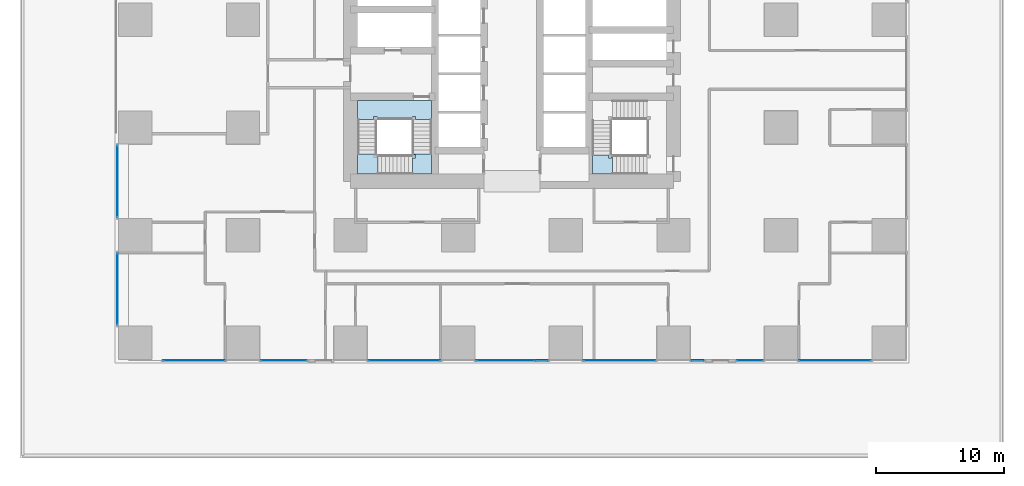
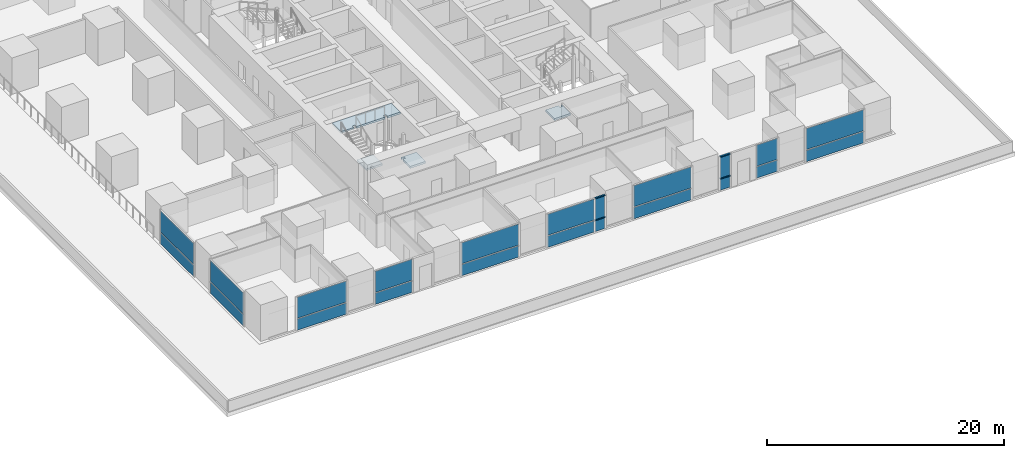
# One storey, part 18 of 35: 22 plates, 4 members, 4 slabs, 13 elements without a shape of their own.
"""IFC4 building model written with IfcOpenShell, lengths in metres."""

import ifcopenshell
import ifcopenshell.guid

model = None  # the IFC model being written
_history = None  # IfcOwnerHistory: only IFC2X3 demands one
_inside = {}  # id of a spatial element -> (the spatial element, [elements in it])
_under = {}  # id of a project, library or spatial element -> (it, [spatial elements below it])
_declared = {}  # id of a project -> (the project, [libraries it declares])
_typed = {}  # id of a type object -> (the type object, [elements of that type])
_made_of = {}  # id of a material, layer set ... -> (it, [elements and type objects made of it])


def new_model(schema):
    """Start an empty IFC model of exactly this schema.

    Asked for "IFC4X3", IfcOpenShell would pick the latest addendum, in which some entities
    have other attributes; the version numbers below select the first issue.
    IFC2X3 requires an IfcOwnerHistory on every rooted entity: one is made here for all.
    """
    global model, _history
    if schema == "IFC4X3":
        model = ifcopenshell.file(schema_version=(4, 3, 0, 0))
    else:
        model = ifcopenshell.file(schema=schema)
    _inside.clear()
    _under.clear()
    _declared.clear()
    _typed.clear()
    _made_of.clear()
    _history = None
    if model.schema == "IFC2X3":
        org = make("IfcOrganization", Name="unknown")
        user = make(
            "IfcPersonAndOrganization",
            ThePerson=make("IfcPerson", FamilyName="unknown"),
            TheOrganization=org,
        )
        app = make(
            "IfcApplication",
            ApplicationDeveloper=org,
            Version="unknown",
            ApplicationFullName="unknown",
            ApplicationIdentifier="unknown",
        )
        _history = make(
            "IfcOwnerHistory",
            OwningUser=user,
            OwningApplication=app,
            ChangeAction="ADDED",
            CreationDate=0,
        )
    return model


def make(cls, **values):
    """One entity of the class cls with the attributes given. An attribute that is None is left unset."""
    return model.create_entity(
        cls, **{name: value for name, value in values.items() if value is not None}
    )


def rooted(cls, **values):
    """An entity with a GlobalId (a new one), such as an element, a storey or a relation."""
    return make(cls, GlobalId=ifcopenshell.guid.new(), OwnerHistory=_history, **values)


def si_unit(unit_type, name, prefix=None):
    """IfcSIUnit, for example si_unit("LENGTHUNIT", "METRE", prefix="MILLI")."""
    return make("IfcSIUnit", UnitType=unit_type, Prefix=prefix, Name=name)


def assignment(units):
    """IfcUnitAssignment: the units of a project."""
    return None if units is None else make("IfcUnitAssignment", Units=units)


def point(xyz):
    """IfcCartesianPoint."""
    return None if xyz is None else make("IfcCartesianPoint", Coordinates=xyz)


def direction(xyz):
    """IfcDirection."""
    return None if xyz is None else make("IfcDirection", DirectionRatios=xyz)


def frame(location, z_axis=None, x_axis=None):
    """IfcAxis2Placement3D, a coordinate frame: its origin and axes. An axis left out is left unset."""
    return make(
        "IfcAxis2Placement3D",
        Location=point(location),
        Axis=direction(z_axis),
        RefDirection=direction(x_axis),
    )


def frame_2d(location, x_axis=None):
    """IfcAxis2Placement2D, a coordinate frame in the plane: its origin and x axis."""
    return make(
        "IfcAxis2Placement2D", Location=point(location), RefDirection=direction(x_axis)
    )


def origin():
    """The frame at (0, 0, 0) with its axes left unset."""
    return frame((0.0, 0.0, 0.0))


def origin_2d():
    """The frame at (0, 0) in the plane with its x axis left unset."""
    return frame_2d((0.0, 0.0))


def place(relative_to, where):
    """IfcLocalPlacement: puts the frame where relative to a parent placement (None: the world)."""
    return make(
        "IfcLocalPlacement", PlacementRelTo=relative_to, RelativePlacement=where
    )


def context(
    kind, dimensions, precision=None, world=None, true_north=None, identifier=None
):
    """IfcGeometricRepresentationContext, for example the 3D "Model" context."""
    return make(
        "IfcGeometricRepresentationContext",
        ContextIdentifier=identifier,
        ContextType=kind,
        CoordinateSpaceDimension=dimensions,
        Precision=precision,
        WorldCoordinateSystem=world,
        TrueNorth=true_north,
    )


def subcontext(parent, identifier, kind, view, scale=None):
    """IfcGeometricRepresentationSubContext, for example "Body" below "Model"."""
    return make(
        "IfcGeometricRepresentationSubContext",
        ContextIdentifier=identifier,
        ContextType=kind,
        ParentContext=parent,
        TargetScale=scale,
        TargetView=view,
    )


def project(units=None, contexts=None):
    """IfcProject with its units and contexts."""
    return rooted(
        "IfcProject",
        Name="project",
        RepresentationContexts=contexts,
        UnitsInContext=assignment(units),
    )


def spatial(cls, under=None, at=None, **own):
    """A site, building, storey or space (cls), placed at a placement, below another one or the project."""
    s = rooted(cls, ObjectPlacement=at, **own)
    if under is not None:
        _under.setdefault(under.id(), (under, []))[1].append(s)
    return s


def polyline(points):
    """IfcPolyline through the points."""
    return make("IfcPolyline", Points=[point(p) for p in points])


def profile(cls, at=None, kind="AREA", **sizes):
    """A parametric profile (cls). Its sizes go by their IFC names, for example OverallWidth=200.0."""
    return make(cls, ProfileType=kind, Position=at, **sizes)


def rectangle(**sizes):
    """IfcRectangleProfileDef."""
    return profile("IfcRectangleProfileDef", **sizes)


def hollow_rectangle(**sizes):
    """IfcRectangleHollowProfileDef."""
    return profile("IfcRectangleHollowProfileDef", **sizes)


def outline(outer, holes=None, kind="AREA"):
    """IfcArbitraryClosedProfileDef: a profile drawn as a closed curve; with holes, ...WithVoids."""
    if holes is None:
        return make("IfcArbitraryClosedProfileDef", ProfileType=kind, OuterCurve=outer)
    return make(
        "IfcArbitraryProfileDefWithVoids",
        ProfileType=kind,
        OuterCurve=outer,
        InnerCurves=holes,
    )


def extrude(swept, where, along, depth):
    """IfcExtrudedAreaSolid: the profile swept, set in the frame where, extruded along a direction by depth."""
    return make(
        "IfcExtrudedAreaSolid",
        SweptArea=swept,
        Position=where,
        ExtrudedDirection=direction(along),
        Depth=depth,
    )


def shape(context_of_items, identifier, shape_type, items):
    """IfcShapeRepresentation: the items that make up one representation, for example the "Body"."""
    return make(
        "IfcShapeRepresentation",
        ContextOfItems=context_of_items,
        RepresentationIdentifier=identifier,
        RepresentationType=shape_type,
        Items=items,
    )


def material(Name=None, Category=None):
    """IfcMaterial."""
    return make("IfcMaterial", Name=Name, Category=Category)


def layer(
    of_material, thickness, ventilated=None, Name=None, Category=None, Priority=None
):
    """IfcMaterialLayer: one layer of a wall or slab, of a material (None: an air gap)."""
    return make(
        "IfcMaterialLayer",
        Material=of_material,
        LayerThickness=thickness,
        IsVentilated=ventilated,
        Name=Name,
        Category=Category,
        Priority=Priority,
    )


def layer_set(layers, Name=None):
    """IfcMaterialLayerSet."""
    return make("IfcMaterialLayerSet", MaterialLayers=layers, LayerSetName=Name)


def material_profile(
    of_material, cross_section, Name=None, Category=None, Priority=None
):
    """IfcMaterialProfile: a cross section and its material."""
    return make(
        "IfcMaterialProfile",
        Name=Name,
        Material=of_material,
        Profile=cross_section,
        Priority=Priority,
        Category=Category,
    )


def profile_set(profiles, Name=None, composite=None):
    """IfcMaterialProfileSet."""
    return make(
        "IfcMaterialProfileSet",
        Name=Name,
        MaterialProfiles=profiles,
        CompositeProfile=composite,
    )


def made_of(thing, what):
    """Note that an element or type object is made of a material, layer set ...; save() writes the relation."""
    if what is not None:
        _made_of.setdefault(what.id(), (what, []))[1].append(thing)
    return thing


def type_object(cls, material=None, **own):
    """A type object (cls), such as IfcWallType, which elements share."""
    return made_of(rooted(cls, **own), material)


def element(
    cls,
    number,
    at=None,
    inside=None,
    cuts=None,
    type_object=None,
    material=None,
    context=None,
    identifier="Body",
    shape_type=None,
    held_by="IfcProductDefinitionShape",
    body=None,
    shapes=None,
    **own,
):
    """One element of the class cls, such as IfcWall. Its Tag is "e" and its number.

    at: its placement. inside: the storey or other place that contains it. cuts: it is an
    opening in that element (IfcRelVoidsElement). A single representation is given by context,
    identifier, shape_type and body (its items); several are given by shapes. held_by: the class
    of the entity that holds the representations. save() writes the other relations.
    """
    e = rooted(cls, Tag="e%d" % number, ObjectPlacement=at, **own)
    if body is not None:
        shapes = [shape(context, identifier, shape_type, body)]
    if shapes is not None:
        e.Representation = make(held_by, Representations=shapes)
    if inside is not None:
        _inside.setdefault(inside.id(), (inside, []))[1].append(e)
    if cuts is not None:
        rooted(
            "IfcRelVoidsElement", RelatingBuildingElement=cuts, RelatedOpeningElement=e
        )
    if type_object is not None:
        _typed.setdefault(type_object.id(), (type_object, []))[1].append(e)
    return made_of(e, material)


def aggregate(whole, parts):
    """IfcRelAggregates: a whole, such as a stair, and the parts it consists of."""
    return rooted("IfcRelAggregates", RelatingObject=whole, RelatedObjects=parts)


def save(model, path):
    """Write the relations noted so far, then the file.

    IfcRelAggregates (storeys below a building ...), IfcRelContainedInSpatialStructure (elements
    in a storey), IfcRelDefinesByType, IfcRelAssociatesMaterial and IfcRelDeclares: one each for
    every whole, place, type object, material and project.
    """
    for whole, parts in _under.values():
        aggregate(whole, parts)
    for where, things in _inside.values():
        rooted(
            "IfcRelContainedInSpatialStructure",
            RelatedElements=things,
            RelatingStructure=where,
        )
    for kind, things in _typed.values():
        rooted("IfcRelDefinesByType", RelatedObjects=things, RelatingType=kind)
    for what, things in _made_of.values():
        rooted("IfcRelAssociatesMaterial", RelatedObjects=things, RelatingMaterial=what)
    for by, libraries in _declared.values():
        rooted("IfcRelDeclares", RelatingContext=by, RelatedDefinitions=libraries)
    model.write(path)


model = new_model("IFC4")

# Units and contexts
model_context = context("Model", 3, precision=1e-05, world=origin(), true_north=direction((0.0, 1.0)))
body_context = subcontext(model_context, "Body", "Model", "MODEL_VIEW")
ifc_project = project(units=[si_unit("LENGTHUNIT", "METRE"), si_unit("AREAUNIT", "SQUARE_METRE"), si_unit("VOLUMEUNIT", "CUBIC_METRE"), si_unit("PLANEANGLEUNIT", "RADIAN"), si_unit("MASSUNIT", "GRAM", prefix="KILO")], contexts=[model_context])

# Site, building, storey
site_placement = place(None, origin())
site = spatial("IfcSite", under=ifc_project, at=site_placement, CompositionType="ELEMENT")
building_placement = place(site_placement, origin())
building = spatial("IfcBuilding", under=site, at=building_placement, Name="Rekha Terrace Tower", CompositionType="ELEMENT")
storey_placement = place(building_placement, frame((0.0, 0.0, 25.39990234375)))
storey = spatial("IfcBuildingStorey", under=building, at=storey_placement, Name="L05", CompositionType="ELEMENT", Elevation=25.39990234375)

# Curtain wall, members
ifc_material_1 = material(Name="Aluminium framing", Category="aluminium")
curtain_wall_type = type_object("IfcCurtainWallType", Name="CW5 sky garden glazing", PredefinedType="USERDEFINED", material=ifc_material_1)
curtain_wall_1_placement = place(storey_placement, origin())
curtain_wall_1 = element("IfcCurtainWall", 1, at=curtain_wall_1_placement, inside=storey, type_object=curtain_wall_type, Name="CW5 sky garden curtain wall", ObjectType="SKY GARDEN CURTAIN WALL", PredefinedType="USERDEFINED")
ifc_material_2 = material(Name="Aluminium transom section", Category="aluminium")
ifc_material_profile = material_profile(ifc_material_2, hollow_rectangle(XDim=0.159912109375, YDim=0.090087890625, WallThickness=0.0029296875, at=origin_2d()), Name="AL RHS 160x90")
ifc_profile_set = profile_set([ifc_material_profile], Name="Aluminium transom section")
member_type = type_object("IfcMemberType", Name="CW5 transom RHS 90 x 160", PredefinedType="USERDEFINED", material=ifc_profile_set)
member_1_placement = place(storey_placement, frame((39.639892578125, 7.0, 1.2001953125), z_axis=(1.0, 0.0, 0.0), x_axis=(0.0, 1.0, 0.0)))
member_1 = element("IfcMember", 2, at=member_1_placement, type_object=member_type, Name="CW5 transom 1.2", ObjectType="TRANSOM", PredefinedType="USERDEFINED", context=body_context, shape_type="SweptSolid", body=[
    extrude(hollow_rectangle(XDim=0.159912109375, YDim=0.090087890625, WallThickness=0.0029296875, at=origin_2d()), origin(), (0.0, 0.0, 1.0), 0.9501953125),
])
member_2_placement = place(storey_placement, frame((39.639892578125, 7.0, 3.455078125), z_axis=(1.0, 0.0, 0.0), x_axis=(0.0, 1.0, 0.0)))
member_2 = element("IfcMember", 3, at=member_2_placement, type_object=member_type, Name="CW5 transom 1.3", ObjectType="TRANSOM", PredefinedType="USERDEFINED", context=body_context, shape_type="SweptSolid", body=[
    extrude(hollow_rectangle(XDim=0.159912109375, YDim=0.090087890625, WallThickness=0.0029296875, at=origin_2d()), origin(), (0.0, 0.0, 1.0), 0.9501953125),
])

curtain_wall_2_placement = place(storey_placement, origin())
curtain_wall_2 = element("IfcCurtainWall", 4, at=curtain_wall_2_placement, inside=storey, type_object=curtain_wall_type, Name="CW5 sky garden curtain wall", ObjectType="SKY GARDEN CURTAIN WALL", PredefinedType="USERDEFINED")
member_3_placement = place(storey_placement, frame((51.81005859375, 7.0, 1.2001953125), z_axis=(1.0, 0.0, 0.0), x_axis=(0.0, 1.0, 0.0)))
member_3 = element("IfcMember", 5, at=member_3_placement, type_object=member_type, Name="CW5 transom 1.2", ObjectType="TRANSOM", PredefinedType="USERDEFINED", context=body_context, shape_type="SweptSolid", body=[
    extrude(hollow_rectangle(XDim=0.159912109375, YDim=0.090087890625, WallThickness=0.0029296875, at=origin_2d()), origin(), (0.0, 0.0, 1.0), 0.974853515625),
])
member_4_placement = place(storey_placement, frame((51.81005859375, 7.0, 3.455078125), z_axis=(1.0, 0.0, 0.0), x_axis=(0.0, 1.0, 0.0)))
member_4 = element("IfcMember", 6, at=member_4_placement, type_object=member_type, Name="CW5 transom 1.3", ObjectType="TRANSOM", PredefinedType="USERDEFINED", context=body_context, shape_type="SweptSolid", body=[
    extrude(hollow_rectangle(XDim=0.159912109375, YDim=0.090087890625, WallThickness=0.0029296875, at=origin_2d()), origin(), (0.0, 0.0, 1.0), 0.974853515625),
])

# Curtain wall, plates
curtain_wall_3_placement = place(storey_placement, origin())
curtain_wall_3 = element("IfcCurtainWall", 7, at=curtain_wall_3_placement, inside=storey, type_object=curtain_wall_type, Name="CW5 sky garden curtain wall", ObjectType="SKY GARDEN CURTAIN WALL", PredefinedType="USERDEFINED")
ifc_material_3 = material(Name="Laminated double-glazed unit 36", Category="glass")
ifc_layer_1 = layer(ifc_material_3, 0.035888671875)
ifc_layer_set_1 = layer_set([ifc_layer_1], Name="Laminated double-glazed unit 36")
plate_type = type_object("IfcPlateType", Name="CW5 jumbo vision panel, laminated double-glazed unit 36", PredefinedType="CURTAIN_PANEL", material=ifc_layer_set_1)
plate_1_placement = place(storey_placement, frame((12.989990234375, 7.0, 0.0), z_axis=(0.0, 0.0, 1.0), x_axis=(1.0, 0.0, 0.0)))
plate_1 = element("IfcPlate", 8, at=plate_1_placement, type_object=plate_type, Name="CW5 panel 1.1", PredefinedType="CURTAIN_PANEL", context=body_context, shape_type="SweptSolid", body=[
    extrude(rectangle(XDim=4.800048828125, YDim=0.035888671875, at=origin_2d()), origin(), (0.0, 0.0, 1.0), 1.155029296875),
])
plate_2_placement = place(storey_placement, frame((12.989990234375, 7.0, 1.2451171875), z_axis=(0.0, 0.0, 1.0), x_axis=(1.0, 0.0, 0.0)))
plate_2 = element("IfcPlate", 9, at=plate_2_placement, type_object=plate_type, Name="CW5 panel 1.2", PredefinedType="CURTAIN_PANEL", context=body_context, shape_type="SweptSolid", body=[
    extrude(rectangle(XDim=4.800048828125, YDim=0.035888671875, at=origin_2d()), origin(), (0.0, 0.0, 1.0), 2.1650390625),
])
aggregate(curtain_wall_3, [plate_1, plate_2])

curtain_wall_4_placement = place(storey_placement, origin())
curtain_wall_4 = element("IfcCurtainWall", 10, at=curtain_wall_4_placement, inside=storey, type_object=curtain_wall_type, Name="CW5 sky garden curtain wall", ObjectType="SKY GARDEN CURTAIN WALL", PredefinedType="USERDEFINED")
plate_3_placement = place(storey_placement, frame((19.99755859375, 7.0, 0.0), z_axis=(0.0, 0.0, 1.0), x_axis=(1.0, 0.0, 0.0)))
plate_3 = element("IfcPlate", 11, at=plate_3_placement, type_object=plate_type, Name="CW5 panel 1.1", PredefinedType="CURTAIN_PANEL", context=body_context, shape_type="SweptSolid", body=[
    extrude(rectangle(XDim=3.574951171875, YDim=0.035888671875, at=origin_2d()), origin(), (0.0, 0.0, 1.0), 1.155029296875),
])
plate_4_placement = place(storey_placement, frame((19.99755859375, 7.0, 1.2451171875), z_axis=(0.0, 0.0, 1.0), x_axis=(1.0, 0.0, 0.0)))
plate_4 = element("IfcPlate", 12, at=plate_4_placement, type_object=plate_type, Name="CW5 panel 1.2", PredefinedType="CURTAIN_PANEL", context=body_context, shape_type="SweptSolid", body=[
    extrude(rectangle(XDim=3.574951171875, YDim=0.035888671875, at=origin_2d()), origin(), (0.0, 0.0, 1.0), 2.1650390625),
])
aggregate(curtain_wall_4, [plate_3, plate_4])

curtain_wall_5_placement = place(storey_placement, origin())
curtain_wall_5 = element("IfcCurtainWall", 13, at=curtain_wall_5_placement, inside=storey, type_object=curtain_wall_type, Name="CW5 sky garden curtain wall", ObjectType="SKY GARDEN CURTAIN WALL", PredefinedType="USERDEFINED")
plate_5_placement = place(storey_placement, frame((29.39990234375, 7.0, 0.0), z_axis=(0.0, 0.0, 1.0), x_axis=(1.0, 0.0, 0.0)))
plate_5 = element("IfcPlate", 14, at=plate_5_placement, type_object=plate_type, Name="CW5 panel 1.1", PredefinedType="CURTAIN_PANEL", context=body_context, shape_type="SweptSolid", body=[
    extrude(rectangle(XDim=5.580078125, YDim=0.035888671875, at=origin_2d()), origin(), (0.0, 0.0, 1.0), 1.155029296875),
])
plate_6_placement = place(storey_placement, frame((29.39990234375, 7.0, 1.2451171875), z_axis=(0.0, 0.0, 1.0), x_axis=(1.0, 0.0, 0.0)))
plate_6 = element("IfcPlate", 15, at=plate_6_placement, type_object=plate_type, Name="CW5 panel 1.2", PredefinedType="CURTAIN_PANEL", context=body_context, shape_type="SweptSolid", body=[
    extrude(rectangle(XDim=5.580078125, YDim=0.035888671875, at=origin_2d()), origin(), (0.0, 0.0, 1.0), 2.1650390625),
])
aggregate(curtain_wall_5, [plate_5, plate_6])

curtain_wall_6_placement = place(storey_placement, origin())
curtain_wall_6 = element("IfcCurtainWall", 16, at=curtain_wall_6_placement, inside=storey, type_object=curtain_wall_type, Name="CW5 sky garden curtain wall", ObjectType="SKY GARDEN CURTAIN WALL", PredefinedType="USERDEFINED")
plate_7_placement = place(storey_placement, frame((37.280029296875, 7.0, 0.0), z_axis=(0.0, 0.0, 1.0), x_axis=(1.0, 0.0, 0.0)))
plate_7 = element("IfcPlate", 17, at=plate_7_placement, type_object=plate_type, Name="CW5 panel 1.1", PredefinedType="CURTAIN_PANEL", context=body_context, shape_type="SweptSolid", body=[
    extrude(rectangle(XDim=4.5400390625, YDim=0.035888671875, at=origin_2d()), origin(), (0.0, 0.0, 1.0), 1.155029296875),
])
plate_8_placement = place(storey_placement, frame((37.280029296875, 7.0, 1.2451171875), z_axis=(0.0, 0.0, 1.0), x_axis=(1.0, 0.0, 0.0)))
plate_8 = element("IfcPlate", 18, at=plate_8_placement, type_object=plate_type, Name="CW5 panel 1.2", PredefinedType="CURTAIN_PANEL", context=body_context, shape_type="SweptSolid", body=[
    extrude(rectangle(XDim=4.5400390625, YDim=0.035888671875, at=origin_2d()), origin(), (0.0, 0.0, 1.0), 2.1650390625),
])
aggregate(curtain_wall_6, [plate_7, plate_8])

# Plate
plate_9_placement = place(storey_placement, frame((40.114990234375, 7.0, 0.0), z_axis=(0.0, 0.0, 1.0), x_axis=(1.0, 0.0, 0.0)))
plate_9 = element("IfcPlate", 19, at=plate_9_placement, type_object=plate_type, Name="CW5 panel 1.1", PredefinedType="CURTAIN_PANEL", context=body_context, shape_type="SweptSolid", body=[
    extrude(rectangle(XDim=0.949951171875, YDim=0.035888671875, at=origin_2d()), origin(), (0.0, 0.0, 1.0), 1.155029296875),
])

plate_10_placement = place(storey_placement, frame((40.114990234375, 7.0, 1.2451171875), z_axis=(0.0, 0.0, 1.0), x_axis=(1.0, 0.0, 0.0)))
plate_10 = element("IfcPlate", 20, at=plate_10_placement, type_object=plate_type, Name="CW5 panel 1.2", PredefinedType="CURTAIN_PANEL", context=body_context, shape_type="SweptSolid", body=[
    extrude(rectangle(XDim=0.949951171875, YDim=0.035888671875, at=origin_2d()), origin(), (0.0, 0.0, 1.0), 2.1650390625),
])

aggregate(curtain_wall_1, [member_1, member_2, plate_9, plate_10])

# Curtain wall, plates
curtain_wall_7_placement = place(storey_placement, origin())
curtain_wall_7 = element("IfcCurtainWall", 21, at=curtain_wall_7_placement, inside=storey, type_object=curtain_wall_type, Name="CW5 sky garden curtain wall", ObjectType="SKY GARDEN CURTAIN WALL", PredefinedType="USERDEFINED")
plate_11_placement = place(storey_placement, frame((46.199951171875, 7.0, 0.0), z_axis=(0.0, 0.0, 1.0), x_axis=(1.0, 0.0, 0.0)))
plate_11 = element("IfcPlate", 22, at=plate_11_placement, type_object=plate_type, Name="CW5 panel 1.1", PredefinedType="CURTAIN_PANEL", context=body_context, shape_type="SweptSolid", body=[
    extrude(rectangle(XDim=5.580078125, YDim=0.035888671875, at=origin_2d()), origin(), (0.0, 0.0, 1.0), 1.155029296875),
])
plate_12_placement = place(storey_placement, frame((46.199951171875, 7.0, 1.2451171875), z_axis=(0.0, 0.0, 1.0), x_axis=(1.0, 0.0, 0.0)))
plate_12 = element("IfcPlate", 23, at=plate_12_placement, type_object=plate_type, Name="CW5 panel 1.2", PredefinedType="CURTAIN_PANEL", context=body_context, shape_type="SweptSolid", body=[
    extrude(rectangle(XDim=5.580078125, YDim=0.035888671875, at=origin_2d()), origin(), (0.0, 0.0, 1.0), 2.1650390625),
])
aggregate(curtain_wall_7, [plate_11, plate_12])

# Plate
plate_13_placement = place(storey_placement, frame((52.297607421875, 7.0, 0.0), z_axis=(0.0, 0.0, 1.0), x_axis=(1.0, 0.0, 0.0)))
plate_13 = element("IfcPlate", 24, at=plate_13_placement, type_object=plate_type, Name="CW5 panel 1.1", PredefinedType="CURTAIN_PANEL", context=body_context, shape_type="SweptSolid", body=[
    extrude(rectangle(XDim=0.97509765625, YDim=0.035888671875, at=origin_2d()), origin(), (0.0, 0.0, 1.0), 1.155029296875),
])

plate_14_placement = place(storey_placement, frame((52.297607421875, 7.0, 1.2451171875), z_axis=(0.0, 0.0, 1.0), x_axis=(1.0, 0.0, 0.0)))
plate_14 = element("IfcPlate", 25, at=plate_14_placement, type_object=plate_type, Name="CW5 panel 1.2", PredefinedType="CURTAIN_PANEL", context=body_context, shape_type="SweptSolid", body=[
    extrude(rectangle(XDim=0.97509765625, YDim=0.035888671875, at=origin_2d()), origin(), (0.0, 0.0, 1.0), 2.1650390625),
])

aggregate(curtain_wall_2, [member_3, member_4, plate_13, plate_14])

# Curtain wall, plates
curtain_wall_8_placement = place(storey_placement, origin())
curtain_wall_8 = element("IfcCurtainWall", 26, at=curtain_wall_8_placement, inside=storey, type_object=curtain_wall_type, Name="CW5 sky garden curtain wall", ObjectType="SKY GARDEN CURTAIN WALL", PredefinedType="USERDEFINED")
plate_15_placement = place(storey_placement, frame((56.37744140625, 7.0, 0.0), z_axis=(0.0, 0.0, 1.0), x_axis=(1.0, 0.0, 0.0)))
plate_15 = element("IfcPlate", 27, at=plate_15_placement, type_object=plate_type, Name="CW5 panel 1.1", PredefinedType="CURTAIN_PANEL", context=body_context, shape_type="SweptSolid", body=[
    extrude(rectangle(XDim=2.02490234375, YDim=0.035888671875, at=origin_2d()), origin(), (0.0, 0.0, 1.0), 1.155029296875),
])
plate_16_placement = place(storey_placement, frame((56.37744140625, 7.0, 1.2451171875), z_axis=(0.0, 0.0, 1.0), x_axis=(1.0, 0.0, 0.0)))
plate_16 = element("IfcPlate", 28, at=plate_16_placement, type_object=plate_type, Name="CW5 panel 1.2", PredefinedType="CURTAIN_PANEL", context=body_context, shape_type="SweptSolid", body=[
    extrude(rectangle(XDim=2.02490234375, YDim=0.035888671875, at=origin_2d()), origin(), (0.0, 0.0, 1.0), 2.1650390625),
])
aggregate(curtain_wall_8, [plate_15, plate_16])

curtain_wall_9_placement = place(storey_placement, origin())
curtain_wall_9 = element("IfcCurtainWall", 29, at=curtain_wall_9_placement, inside=storey, type_object=curtain_wall_type, Name="CW5 sky garden curtain wall", ObjectType="SKY GARDEN CURTAIN WALL", PredefinedType="USERDEFINED")
plate_17_placement = place(storey_placement, frame((63.0, 7.0, 0.0), z_axis=(0.0, 0.0, 1.0), x_axis=(1.0, 0.0, 0.0)))
plate_17 = element("IfcPlate", 30, at=plate_17_placement, type_object=plate_type, Name="CW5 panel 1.1", PredefinedType="CURTAIN_PANEL", context=body_context, shape_type="SweptSolid", body=[
    extrude(rectangle(XDim=5.580078125, YDim=0.035888671875, at=origin_2d()), origin(), (0.0, 0.0, 1.0), 1.155029296875),
])
plate_18_placement = place(storey_placement, frame((63.0, 7.0, 1.2451171875), z_axis=(0.0, 0.0, 1.0), x_axis=(1.0, 0.0, 0.0)))
plate_18 = element("IfcPlate", 31, at=plate_18_placement, type_object=plate_type, Name="CW5 panel 1.2", PredefinedType="CURTAIN_PANEL", context=body_context, shape_type="SweptSolid", body=[
    extrude(rectangle(XDim=5.580078125, YDim=0.035888671875, at=origin_2d()), origin(), (0.0, 0.0, 1.0), 2.1650390625),
])
aggregate(curtain_wall_9, [plate_17, plate_18])

curtain_wall_10_placement = place(storey_placement, origin())
curtain_wall_10 = element("IfcCurtainWall", 32, at=curtain_wall_10_placement, inside=storey, type_object=curtain_wall_type, Name="CW5 sky garden curtain wall", ObjectType="SKY GARDEN CURTAIN WALL", PredefinedType="USERDEFINED")
plate_19_placement = place(storey_placement, frame((7.0, 21.0, 0.0), z_axis=(0.0, 0.0, 1.0), x_axis=(0.0, -1.0, 0.0)))
plate_19 = element("IfcPlate", 33, at=plate_19_placement, type_object=plate_type, Name="CW5 panel 1.1", PredefinedType="CURTAIN_PANEL", context=body_context, shape_type="SweptSolid", body=[
    extrude(rectangle(XDim=5.580078125, YDim=0.035888671875, at=origin_2d()), origin(), (0.0, 0.0, 1.0), 1.155029296875),
])
plate_20_placement = place(storey_placement, frame((7.0, 21.0, 1.2451171875), z_axis=(0.0, 0.0, 1.0), x_axis=(0.0, -1.0, 0.0)))
plate_20 = element("IfcPlate", 34, at=plate_20_placement, type_object=plate_type, Name="CW5 panel 1.2", PredefinedType="CURTAIN_PANEL", context=body_context, shape_type="SweptSolid", body=[
    extrude(rectangle(XDim=5.580078125, YDim=0.035888671875, at=origin_2d()), origin(), (0.0, 0.0, 1.0), 2.1650390625),
])
aggregate(curtain_wall_10, [plate_19, plate_20])

curtain_wall_11_placement = place(storey_placement, origin())
curtain_wall_11 = element("IfcCurtainWall", 35, at=curtain_wall_11_placement, inside=storey, type_object=curtain_wall_type, Name="CW5 sky garden curtain wall", ObjectType="SKY GARDEN CURTAIN WALL", PredefinedType="USERDEFINED")
plate_21_placement = place(storey_placement, frame((7.0, 12.60009765625, 0.0), z_axis=(0.0, 0.0, 1.0), x_axis=(0.0, -1.0, 0.0)))
plate_21 = element("IfcPlate", 36, at=plate_21_placement, type_object=plate_type, Name="CW5 panel 1.1", PredefinedType="CURTAIN_PANEL", context=body_context, shape_type="SweptSolid", body=[
    extrude(rectangle(XDim=5.580078125, YDim=0.035888671875, at=origin_2d()), origin(), (0.0, 0.0, 1.0), 1.155029296875),
])
plate_22_placement = place(storey_placement, frame((7.0, 12.60009765625, 1.2451171875), z_axis=(0.0, 0.0, 1.0), x_axis=(0.0, -1.0, 0.0)))
plate_22 = element("IfcPlate", 37, at=plate_22_placement, type_object=plate_type, Name="CW5 panel 1.2", PredefinedType="CURTAIN_PANEL", context=body_context, shape_type="SweptSolid", body=[
    extrude(rectangle(XDim=5.580078125, YDim=0.035888671875, at=origin_2d()), origin(), (0.0, 0.0, 1.0), 2.1650390625),
])
aggregate(curtain_wall_11, [plate_21, plate_22])

# Stair, slabs
ifc_material_4 = material(Name="Concrete M40", Category="concrete")
stair_type = type_object("IfcStairType", Name="ST30 stair, 30 risers of 125, going 300, 1500 wide flights, 3 flights", PredefinedType="HALF_TURN_STAIR", material=ifc_material_4)
stair_1_placement = place(storey_placement, origin())
stair_1 = element("IfcStair", 38, at=stair_1_placement, inside=storey, type_object=stair_type, Name="Stair ST1 L05 to L06", PredefinedType="HALF_TURN_STAIR")
ifc_layer_2 = layer(ifc_material_4, 0.199951171875)
ifc_layer_set_2 = layer_set([ifc_layer_2], Name="Concrete M40")
slab_type = type_object("IfcSlabType", Name="LD1 200 concrete stair landing", PredefinedType="LANDING", material=ifc_layer_set_2)
slab_1_placement = place(storey_placement, frame((0.0, 0.0, 1.050048828125)))
slab_1 = element("IfcSlab", 39, at=slab_1_placement, type_object=slab_type, Name="ST1 landing 1", PredefinedType="LANDING", context=body_context, shape_type="SweptSolid", body=[
    extrude(outline(polyline([(30.02490234375, 21.550048828125), (31.52490234375, 21.550048828125), (31.52490234375, 23.125), (30.02490234375, 23.125), (30.02490234375, 23.050048828125), (30.27490234375, 23.050048828125), (30.27490234375, 22.800048828125), (30.02490234375, 22.800048828125), (30.02490234375, 21.550048828125)])), origin(), (0.0, 0.0, 1.0), 0.199951171875),
])
slab_2_placement = place(storey_placement, frame((0.0, 0.0, 2.300048828125)))
slab_2 = element("IfcSlab", 40, at=slab_2_placement, type_object=slab_type, Name="ST1 landing 2", PredefinedType="LANDING", context=body_context, shape_type="SweptSolid", body=[
    extrude(outline(polyline([(27.25, 23.125), (25.75, 23.125), (25.75, 21.550048828125), (27.324951171875, 21.550048828125), (27.324951171875, 23.050048828125), (27.25, 23.050048828125), (27.25, 23.125)])), origin(), (0.0, 0.0, 1.0), 0.199951171875),
])
slab_3_placement = place(storey_placement, frame((0.0, 0.0, 3.550048828125)))
slab_3 = element("IfcSlab", 41, at=slab_3_placement, type_object=slab_type, Name="ST1 landing 3", PredefinedType="LANDING", context=body_context, shape_type="SweptSolid", body=[
    extrude(outline(polyline([(31.52490234375, 25.824951171875), (31.52490234375, 27.324951171875), (25.75, 27.324951171875), (25.75, 25.824951171875), (27.0, 25.824951171875), (27.0, 26.074951171875), (27.25, 26.074951171875), (27.25, 25.824951171875), (30.02490234375, 25.824951171875), (30.02490234375, 26.074951171875), (30.27490234375, 26.074951171875), (30.27490234375, 25.824951171875), (31.52490234375, 25.824951171875)])), origin(), (0.0, 0.0, 1.0), 0.199951171875),
])
aggregate(stair_1, [slab_1, slab_2, slab_3])

# Stair, slab
stair_2_placement = place(storey_placement, origin())
stair_2 = element("IfcStair", 42, at=stair_2_placement, inside=storey, type_object=stair_type, Name="Stair ST3 L05 to L06", PredefinedType="HALF_TURN_STAIR")
slab_4_placement = place(storey_placement, frame((0.0, 0.0, 1.050048828125)))
slab_4 = element("IfcSlab", 43, at=slab_4_placement, type_object=slab_type, Name="ST3 landing 1", PredefinedType="LANDING", context=body_context, shape_type="SweptSolid", body=[
    extrude(outline(polyline([(44.074951171875, 23.050048828125), (44.074951171875, 21.550048828125), (45.64990234375, 21.550048828125), (45.64990234375, 23.050048828125), (45.574951171875, 23.050048828125), (45.574951171875, 22.800048828125), (45.324951171875, 22.800048828125), (45.324951171875, 23.050048828125), (44.074951171875, 23.050048828125)])), origin(), (0.0, 0.0, 1.0), 0.199951171875),
])
aggregate(stair_2, [slab_4])

save(model, "model.ifc")
